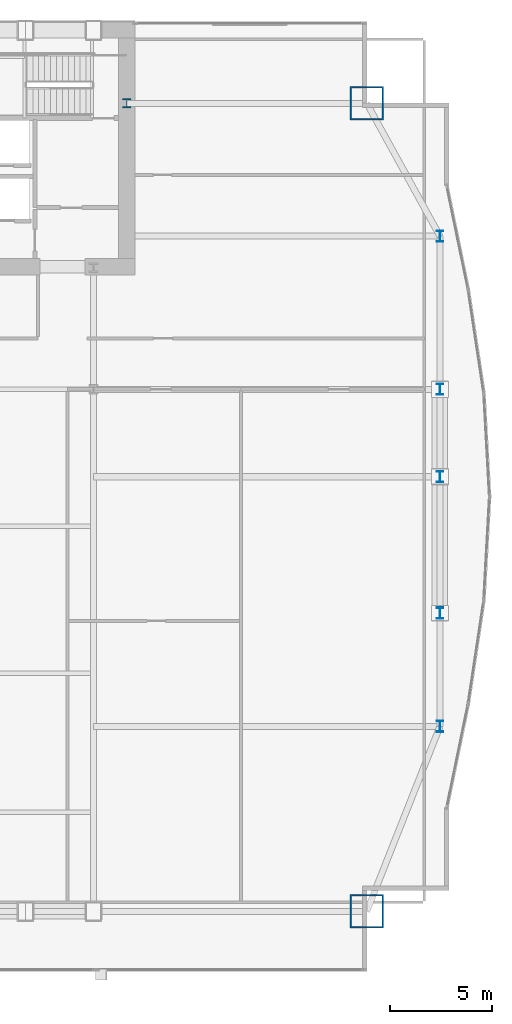
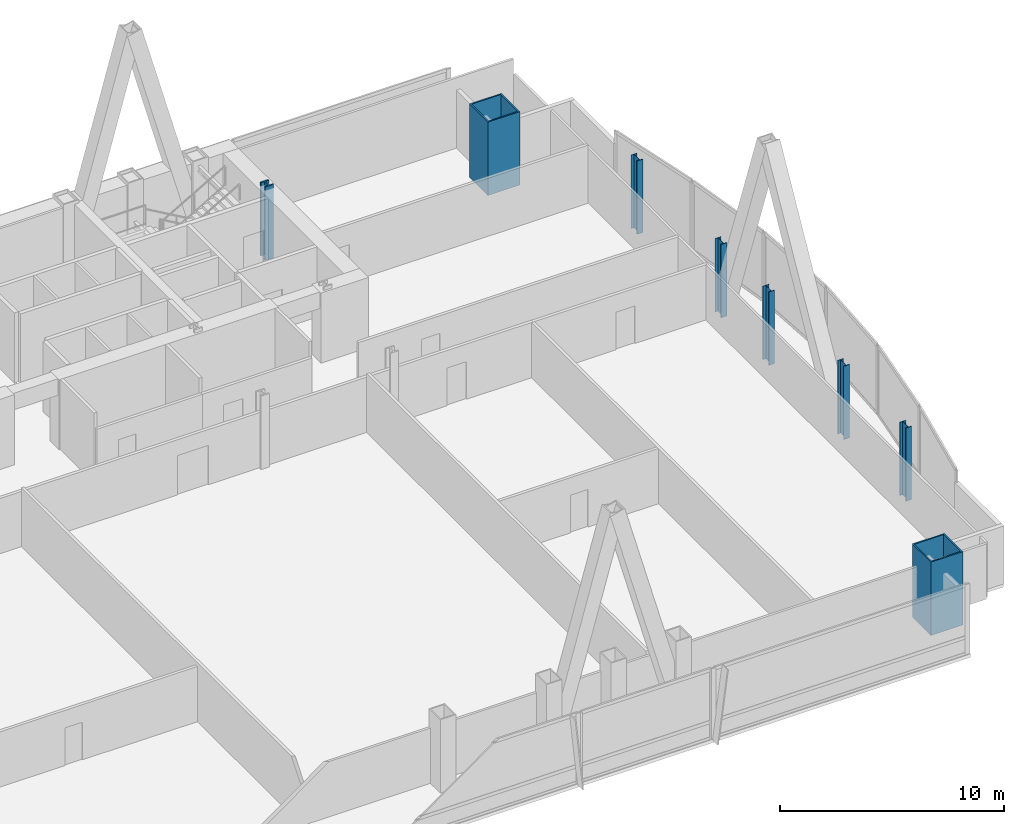
# One storey, part 4 of 36: 8 columns.
"""IFC4 building model written with IfcOpenShell, lengths in metres."""

from ifc_helpers import new_model, si_unit, direction, frame, origin, origin_2d, place, context, subcontext, project, spatial, hollow_rectangle, i_section, extrude, material, material_profile, profile_set, type_object, element, save


model = new_model("IFC4")

# Units and contexts
model_context = context("Model", 3, precision=1e-05, world=origin(), true_north=direction((0.0, 1.0)))
body_context = subcontext(model_context, "Body", "Model", "MODEL_VIEW")
ifc_project = project(units=[si_unit("LENGTHUNIT", "METRE"), si_unit("AREAUNIT", "SQUARE_METRE"), si_unit("VOLUMEUNIT", "CUBIC_METRE"), si_unit("PLANEANGLEUNIT", "RADIAN"), si_unit("MASSUNIT", "GRAM", prefix="KILO")], contexts=[model_context])

# Site, building, storey
site_placement = place(None, origin())
site = spatial("IfcSite", under=ifc_project, at=site_placement, CompositionType="ELEMENT")
building_placement = place(site_placement, origin())
building = spatial("IfcBuilding", under=site, at=building_placement, Name="Khoronbel Lancet Exchange", CompositionType="ELEMENT")
storey_placement = place(building_placement, frame((0.0, 0.0, 49.800048828125)))
storey = spatial("IfcBuildingStorey", under=building, at=storey_placement, Name="L11", CompositionType="ELEMENT", Elevation=49.800048828125)

# Columns
ifc_material_1 = material(Name="Steel S460", Category="steel")
ifc_material_profile_1 = material_profile(ifc_material_1, i_section(OverallWidth=0.424072265625, OverallDepth=0.47412109375, WebThickness=0.047607421875, FlangeThickness=0.076904296875, at=origin_2d()), Name="HD 400x634")
ifc_profile_set_1 = profile_set([ifc_material_profile_1], Name="Steel S460")
column_type_1 = type_object("IfcColumnType", Name="COL-IC1", PredefinedType="COLUMN", material=ifc_profile_set_1)
column_placement = place(storey_placement, frame((56.300048828125, 49.699951171875, 0.0), z_axis=(0.0, 0.0, 1.0), x_axis=(1.0, 0.0, 0.0)))
element("IfcColumn", 1, at=column_placement, inside=storey, type_object=column_type_1, Name="Core-flank plumb transfer column CFE L11", PredefinedType="COLUMN", context=body_context, shape_type="SweptSolid", body=[
    extrude(i_section(OverallWidth=0.424072265625, OverallDepth=0.47412109375, WebThickness=0.047607421875, FlangeThickness=0.076904296875, at=origin_2d()), origin(), (0.0, 0.0, 1.0), 4.0),
])
ifc_material_2 = material(Name="Steel S355", Category="steel")
ifc_material_profile_2 = material_profile(ifc_material_2, i_section(OverallWidth=0.300048828125, OverallDepth=0.550048828125, WebThickness=0.014892578125, FlangeThickness=0.029052734375, at=origin_2d()), Name="HEB 550")
ifc_profile_set_2 = profile_set([ifc_material_profile_2], Name="Steel S355")
column_type_2 = type_object("IfcColumnType", Name="COL-LC1", PredefinedType="COLUMN", material=ifc_profile_set_2)
for number, where, z_axis, x_axis, name in (
    (2, (71.6298828125, 19.199951171875, 0.0), (0.0, 0.0, 1.0), (1.0, 0.0, 0.0), "Structural column EC-1 L11"),
    (3, (71.6298828125, 24.75, 0.0), (0.0, 0.0, 1.0), (1.0, 0.0, 0.0), "Structural column EC-2 L11"),
    (4, (71.6298828125, 31.425048828125, 0.0), (0.0, 0.0, 1.0), (1.0, 0.0, 0.0), "Structural column EC-M L11"),
    (5, (71.6298828125, 35.699951171875, 0.0), (0.0, 0.0, 1.0), (1.0, 0.0, 0.0), "Structural column EC-3 L11"),
    (6, (71.6298828125, 43.199951171875, 0.0), (0.0, 0.0, 1.0), (1.0, 0.0, 0.0), "Structural column EC-4 L11"),
):
    element("IfcColumn", number, at=place(storey_placement, frame(where, z_axis=z_axis, x_axis=x_axis)), inside=storey, type_object=column_type_2, Name=name, PredefinedType="COLUMN", context=body_context, shape_type="SweptSolid", body=[
        extrude(i_section(OverallWidth=0.300048828125, OverallDepth=0.550048828125, WebThickness=0.014892578125, FlangeThickness=0.029052734375, at=origin_2d()), origin(), (0.0, 0.0, 1.0), 4.0),
    ])
ifc_material_profile_3 = material_profile(ifc_material_1, hollow_rectangle(XDim=1.64990234375, YDim=1.64990234375, WallThickness=0.074951171875, at=origin_2d()), Name="BOX 1650x1650x75")
ifc_profile_set_3 = profile_set([ifc_material_profile_3], Name="Steel S460")
column_type_3 = type_object("IfcColumnType", Name="COL-MC2", PredefinedType="COLUMN", material=ifc_profile_set_3)
for number, where, z_axis, x_axis, name in (
    (7, (68.050048828125, 10.14990234375, 0.0), (0.0, 0.0, 1.0), (1.0, 0.0, 0.0), "Structural column MC-SE L11"),
    (8, (68.050048828125, 49.699951171875, 0.0), (0.0, 0.0, 1.0), (1.0, 0.0, 0.0), "Structural column MC-NE L11"),
):
    element("IfcColumn", number, at=place(storey_placement, frame(where, z_axis=z_axis, x_axis=x_axis)), inside=storey, type_object=column_type_3, Name=name, PredefinedType="COLUMN", context=body_context, shape_type="SweptSolid", body=[
        extrude(hollow_rectangle(XDim=1.64990234375, YDim=1.64990234375, WallThickness=0.074951171875, at=origin_2d()), origin(), (0.0, 0.0, 1.0), 4.0),
    ])

save(model, "model.ifc")
